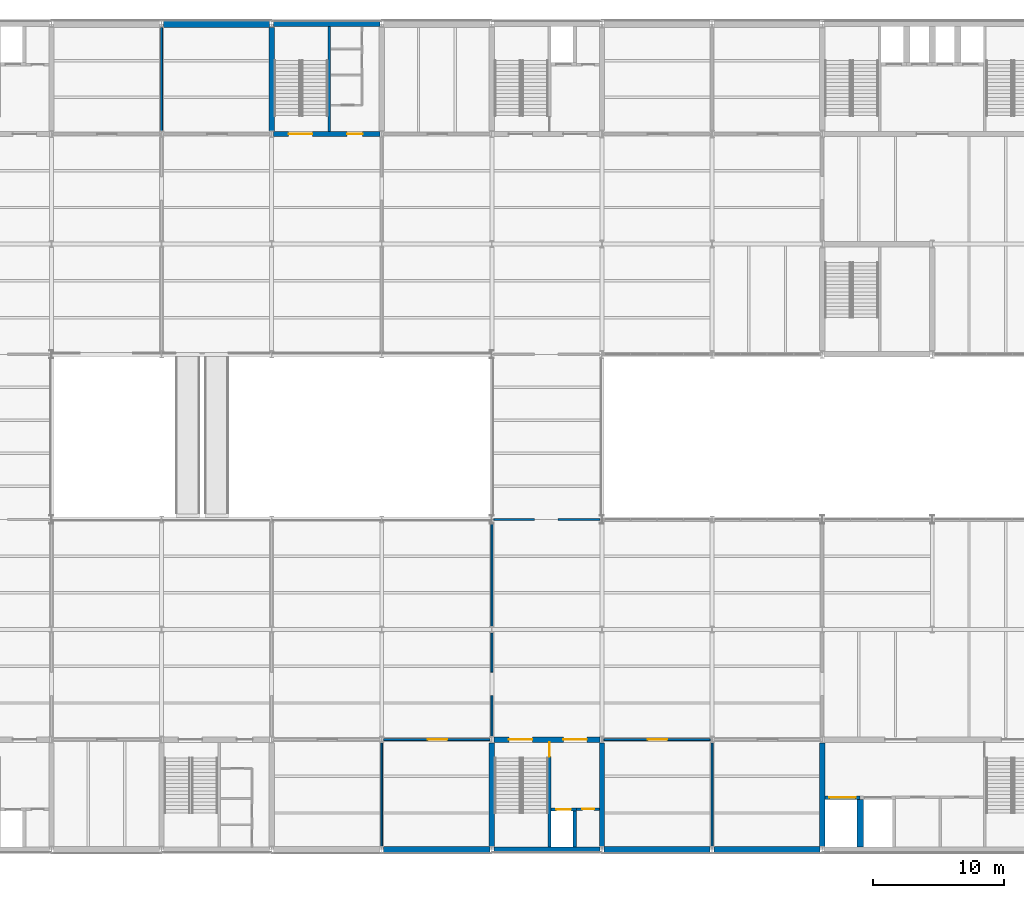
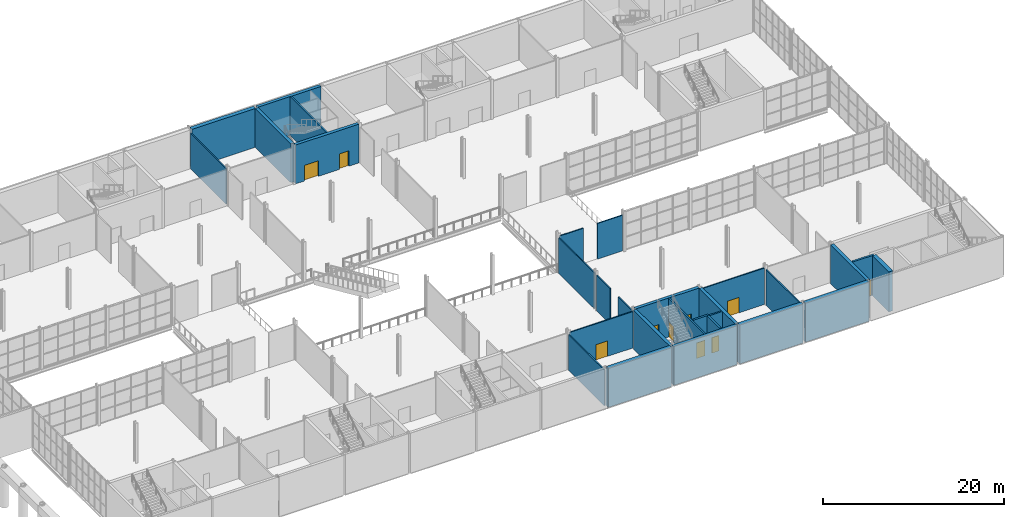
# One storey, part 42 of 64: 29 walls, 10 doors, 10 openings.
"""IFC4 building model written with IfcOpenShell, lengths in metres."""

import ifcopenshell
import ifcopenshell.guid

model = None  # the IFC model being written
_history = None  # IfcOwnerHistory: only IFC2X3 demands one
_inside = {}  # id of a spatial element -> (the spatial element, [elements in it])
_under = {}  # id of a project, library or spatial element -> (it, [spatial elements below it])
_declared = {}  # id of a project -> (the project, [libraries it declares])
_typed = {}  # id of a type object -> (the type object, [elements of that type])
_made_of = {}  # id of a material, layer set ... -> (it, [elements and type objects made of it])


def new_model(schema):
    """Start an empty IFC model of exactly this schema.

    Asked for "IFC4X3", IfcOpenShell would pick the latest addendum, in which some entities
    have other attributes; the version numbers below select the first issue.
    IFC2X3 requires an IfcOwnerHistory on every rooted entity: one is made here for all.
    """
    global model, _history
    if schema == "IFC4X3":
        model = ifcopenshell.file(schema_version=(4, 3, 0, 0))
    else:
        model = ifcopenshell.file(schema=schema)
    _inside.clear()
    _under.clear()
    _declared.clear()
    _typed.clear()
    _made_of.clear()
    _history = None
    if model.schema == "IFC2X3":
        org = make("IfcOrganization", Name="unknown")
        user = make(
            "IfcPersonAndOrganization",
            ThePerson=make("IfcPerson", FamilyName="unknown"),
            TheOrganization=org,
        )
        app = make(
            "IfcApplication",
            ApplicationDeveloper=org,
            Version="unknown",
            ApplicationFullName="unknown",
            ApplicationIdentifier="unknown",
        )
        _history = make(
            "IfcOwnerHistory",
            OwningUser=user,
            OwningApplication=app,
            ChangeAction="ADDED",
            CreationDate=0,
        )
    return model


def make(cls, **values):
    """One entity of the class cls with the attributes given. An attribute that is None is left unset."""
    return model.create_entity(
        cls, **{name: value for name, value in values.items() if value is not None}
    )


def rooted(cls, **values):
    """An entity with a GlobalId (a new one), such as an element, a storey or a relation."""
    return make(cls, GlobalId=ifcopenshell.guid.new(), OwnerHistory=_history, **values)


def si_unit(unit_type, name, prefix=None):
    """IfcSIUnit, for example si_unit("LENGTHUNIT", "METRE", prefix="MILLI")."""
    return make("IfcSIUnit", UnitType=unit_type, Prefix=prefix, Name=name)


def assignment(units):
    """IfcUnitAssignment: the units of a project."""
    return None if units is None else make("IfcUnitAssignment", Units=units)


def point(xyz):
    """IfcCartesianPoint."""
    return None if xyz is None else make("IfcCartesianPoint", Coordinates=xyz)


def direction(xyz):
    """IfcDirection."""
    return None if xyz is None else make("IfcDirection", DirectionRatios=xyz)


def frame(location, z_axis=None, x_axis=None):
    """IfcAxis2Placement3D, a coordinate frame: its origin and axes. An axis left out is left unset."""
    return make(
        "IfcAxis2Placement3D",
        Location=point(location),
        Axis=direction(z_axis),
        RefDirection=direction(x_axis),
    )


def frame_2d(location, x_axis=None):
    """IfcAxis2Placement2D, a coordinate frame in the plane: its origin and x axis."""
    return make(
        "IfcAxis2Placement2D", Location=point(location), RefDirection=direction(x_axis)
    )


def origin():
    """The frame at (0, 0, 0) with its axes left unset."""
    return frame((0.0, 0.0, 0.0))


def place(relative_to, where):
    """IfcLocalPlacement: puts the frame where relative to a parent placement (None: the world)."""
    return make(
        "IfcLocalPlacement", PlacementRelTo=relative_to, RelativePlacement=where
    )


def context(
    kind, dimensions, precision=None, world=None, true_north=None, identifier=None
):
    """IfcGeometricRepresentationContext, for example the 3D "Model" context."""
    return make(
        "IfcGeometricRepresentationContext",
        ContextIdentifier=identifier,
        ContextType=kind,
        CoordinateSpaceDimension=dimensions,
        Precision=precision,
        WorldCoordinateSystem=world,
        TrueNorth=true_north,
    )


def subcontext(parent, identifier, kind, view, scale=None):
    """IfcGeometricRepresentationSubContext, for example "Body" below "Model"."""
    return make(
        "IfcGeometricRepresentationSubContext",
        ContextIdentifier=identifier,
        ContextType=kind,
        ParentContext=parent,
        TargetScale=scale,
        TargetView=view,
    )


def project(units=None, contexts=None):
    """IfcProject with its units and contexts."""
    return rooted(
        "IfcProject",
        Name="project",
        RepresentationContexts=contexts,
        UnitsInContext=assignment(units),
    )


def spatial(cls, under=None, at=None, **own):
    """A site, building, storey or space (cls), placed at a placement, below another one or the project."""
    s = rooted(cls, ObjectPlacement=at, **own)
    if under is not None:
        _under.setdefault(under.id(), (under, []))[1].append(s)
    return s


def profile(cls, at=None, kind="AREA", **sizes):
    """A parametric profile (cls). Its sizes go by their IFC names, for example OverallWidth=200.0."""
    return make(cls, ProfileType=kind, Position=at, **sizes)


def rectangle(**sizes):
    """IfcRectangleProfileDef."""
    return profile("IfcRectangleProfileDef", **sizes)


def extrude(swept, where, along, depth):
    """IfcExtrudedAreaSolid: the profile swept, set in the frame where, extruded along a direction by depth."""
    return make(
        "IfcExtrudedAreaSolid",
        SweptArea=swept,
        Position=where,
        ExtrudedDirection=direction(along),
        Depth=depth,
    )


def shape(context_of_items, identifier, shape_type, items):
    """IfcShapeRepresentation: the items that make up one representation, for example the "Body"."""
    return make(
        "IfcShapeRepresentation",
        ContextOfItems=context_of_items,
        RepresentationIdentifier=identifier,
        RepresentationType=shape_type,
        Items=items,
    )


def material(Name=None, Category=None):
    """IfcMaterial."""
    return make("IfcMaterial", Name=Name, Category=Category)


def layer(
    of_material, thickness, ventilated=None, Name=None, Category=None, Priority=None
):
    """IfcMaterialLayer: one layer of a wall or slab, of a material (None: an air gap)."""
    return make(
        "IfcMaterialLayer",
        Material=of_material,
        LayerThickness=thickness,
        IsVentilated=ventilated,
        Name=Name,
        Category=Category,
        Priority=Priority,
    )


def layer_set(layers, Name=None):
    """IfcMaterialLayerSet."""
    return make("IfcMaterialLayerSet", MaterialLayers=layers, LayerSetName=Name)


def made_of(thing, what):
    """Note that an element or type object is made of a material, layer set ...; save() writes the relation."""
    if what is not None:
        _made_of.setdefault(what.id(), (what, []))[1].append(thing)
    return thing


def type_object(cls, material=None, **own):
    """A type object (cls), such as IfcWallType, which elements share."""
    return made_of(rooted(cls, **own), material)


def element(
    cls,
    number,
    at=None,
    inside=None,
    cuts=None,
    type_object=None,
    material=None,
    context=None,
    identifier="Body",
    shape_type=None,
    held_by="IfcProductDefinitionShape",
    body=None,
    shapes=None,
    **own,
):
    """One element of the class cls, such as IfcWall. Its Tag is "e" and its number.

    at: its placement. inside: the storey or other place that contains it. cuts: it is an
    opening in that element (IfcRelVoidsElement). A single representation is given by context,
    identifier, shape_type and body (its items); several are given by shapes. held_by: the class
    of the entity that holds the representations. save() writes the other relations.
    """
    e = rooted(cls, Tag="e%d" % number, ObjectPlacement=at, **own)
    if body is not None:
        shapes = [shape(context, identifier, shape_type, body)]
    if shapes is not None:
        e.Representation = make(held_by, Representations=shapes)
    if inside is not None:
        _inside.setdefault(inside.id(), (inside, []))[1].append(e)
    if cuts is not None:
        rooted(
            "IfcRelVoidsElement", RelatingBuildingElement=cuts, RelatedOpeningElement=e
        )
    if type_object is not None:
        _typed.setdefault(type_object.id(), (type_object, []))[1].append(e)
    return made_of(e, material)


def fill(opening, filler):
    """IfcRelFillsElement: the door or window that sits in an opening."""
    return rooted(
        "IfcRelFillsElement",
        RelatingOpeningElement=opening,
        RelatedBuildingElement=filler,
    )


def aggregate(whole, parts):
    """IfcRelAggregates: a whole, such as a stair, and the parts it consists of."""
    return rooted("IfcRelAggregates", RelatingObject=whole, RelatedObjects=parts)


def save(model, path):
    """Write the relations noted so far, then the file.

    IfcRelAggregates (storeys below a building ...), IfcRelContainedInSpatialStructure (elements
    in a storey), IfcRelDefinesByType, IfcRelAssociatesMaterial and IfcRelDeclares: one each for
    every whole, place, type object, material and project.
    """
    for whole, parts in _under.values():
        aggregate(whole, parts)
    for where, things in _inside.values():
        rooted(
            "IfcRelContainedInSpatialStructure",
            RelatedElements=things,
            RelatingStructure=where,
        )
    for kind, things in _typed.values():
        rooted("IfcRelDefinesByType", RelatedObjects=things, RelatingType=kind)
    for what, things in _made_of.values():
        rooted("IfcRelAssociatesMaterial", RelatedObjects=things, RelatingMaterial=what)
    for by, libraries in _declared.values():
        rooted("IfcRelDeclares", RelatingContext=by, RelatedDefinitions=libraries)
    model.write(path)


model = new_model("IFC4")

# Units and contexts
model_context = context("Model", 3, precision=1e-05, world=origin(), true_north=direction((0.0, 1.0)))
body_context = subcontext(model_context, "Body", "Model", "MODEL_VIEW")
ifc_project = project(units=[si_unit("LENGTHUNIT", "METRE"), si_unit("AREAUNIT", "SQUARE_METRE"), si_unit("VOLUMEUNIT", "CUBIC_METRE"), si_unit("PLANEANGLEUNIT", "RADIAN"), si_unit("MASSUNIT", "GRAM", prefix="KILO")], contexts=[model_context])

# Site, building, storey
site_placement = place(None, origin())
site = spatial("IfcSite", under=ifc_project, at=site_placement, CompositionType="ELEMENT")
building_placement = place(site_placement, origin())
building = spatial("IfcBuilding", under=site, at=building_placement, Name="Galleria Vessillo Department Store", CompositionType="ELEMENT")
storey_placement = place(building_placement, frame((0.0, 0.0, 6.0)))
storey = spatial("IfcBuildingStorey", under=building, at=storey_placement, Name="L01", CompositionType="ELEMENT", Elevation=6.0)

# Wall
ifc_material_1 = material(Name="Solid clay block masonry", Category="masonry")
ifc_layer_1 = layer(ifc_material_1, 0.5)
ifc_layer_set_1 = layer_set([ifc_layer_1], Name="Solid clay block masonry")
wall_type_1 = type_object("IfcWallType", Name="Lift shaft partition wall 500 mm", PredefinedType="SOLIDWALL", material=ifc_layer_set_1)
wall_1_placement = place(storey_placement, frame((103.699951171875, 0.199951171875, 0.0), z_axis=(0.0, 0.0, 1.0), x_axis=(0.0, 1.0, 0.0)))
element("IfcWall", 1, at=wall_1_placement, inside=storey, type_object=wall_type_1, Name="Lift shaft partition wall GL1 L01", PredefinedType="SOLIDWALL", context=body_context, shape_type="SweptSolid", body=[
    extrude(rectangle(XDim=3.650146484375, YDim=0.5, at=frame_2d((1.8251953125, 0.0))), origin(), (0.0, 0.0, 1.0), 5.39990234375),
])

# Wall, opening, door
ifc_material_2 = material(Name="Solid clay block masonry", Category="masonry")
ifc_layer_2 = layer(ifc_material_2, 0.25)
ifc_layer_set_2 = layer_set([ifc_layer_2], Name="Solid clay block masonry")
wall_type_2 = type_object("IfcWallType", Name="Lift shaft wall 250 mm", PredefinedType="SOLIDWALL", material=ifc_layer_set_2)
wall_2_placement = place(storey_placement, frame((80.10009765625, 3.074951171875, 0.0), z_axis=(0.0, 0.0, 1.0), x_axis=(1.0, 0.0, 0.0)))
wall_2 = element("IfcWall", 2, at=wall_2_placement, inside=storey, type_object=wall_type_2, Name="Lift shaft wall LP5 landing side L01", PredefinedType="SOLIDWALL", context=body_context, shape_type="SweptSolid", body=[
    extrude(rectangle(XDim=1.949951171875, YDim=0.25, at=frame_2d((0.97509765625, 0.0))), origin(), (0.0, 0.0, 1.0), 5.39990234375),
])
opening_1_placement = place(wall_2_placement, frame((0.4248046875, 0.0, 0.0)))
opening_1 = element("IfcOpeningElement", 3, at=opening_1_placement, cuts=wall_2, Name="Opening LD036", PredefinedType="OPENING", context=body_context, shape_type="SweptSolid", body=[
    extrude(rectangle(XDim=1.10009765625, YDim=2.10009765625, at=frame_2d((0.550048828125, 1.050048828125))), frame((0.0, 0.135009765625, 0.0), z_axis=(0.0, -1.0, 0.0), x_axis=(1.0, 0.0, 0.0)), (0.0, 0.0, 1.0), 0.27001953125),
])
ifc_material_3 = material(Name="Stainless steel lift door panel", Category="steel")
door_type_1 = type_object("IfcDoorType", Name="Lift landing door LD110 sliding 1100 x 2100", OperationType="SLIDING_TO_LEFT", PredefinedType="DOOR", material=ifc_material_3)
door_1_placement = place(opening_1_placement, origin())
door_1 = element("IfcDoor", 4, at=door_1_placement, inside=storey, type_object=door_type_1, Name="Lift landing door LP5 L01", OperationType="SLIDING_TO_LEFT", OverallHeight=2.10009765625, OverallWidth=1.10009765625, PredefinedType="DOOR", context=body_context, shape_type="SweptSolid", body=[
    extrude(rectangle(XDim=1.10009765625, YDim=2.10009765625, at=frame_2d((0.550048828125, 1.050048828125))), frame((0.0, 0.02490234375, 0.0), z_axis=(0.0, -1.0, 0.0), x_axis=(1.0, 0.0, 0.0)), (0.0, 0.0, 1.0), 0.050048828125),
])
fill(opening_1, door_1)

# Wall
wall_3_placement = place(storey_placement, frame((81.925048828125, 0.199951171875, 0.0), z_axis=(0.0, 0.0, 1.0), x_axis=(0.0, 1.0, 0.0)))
element("IfcWall", 5, at=wall_3_placement, inside=storey, type_object=wall_type_2, Name="Lift shaft wall LP5 L01", PredefinedType="SOLIDWALL", context=body_context, shape_type="SweptSolid", body=[
    extrude(rectangle(XDim=2.75, YDim=0.25, at=frame_2d((1.375, 0.0))), origin(), (0.0, 0.0, 1.0), 5.39990234375),
])

# Wall, opening, door
wall_4_placement = place(storey_placement, frame((101.0, 3.97509765625, 0.0), z_axis=(0.0, 0.0, 1.0), x_axis=(1.0, 0.0, 0.0)))
wall_4 = element("IfcWall", 6, at=wall_4_placement, inside=storey, type_object=wall_type_2, Name="Lift shaft wall GL1 landing side L01", PredefinedType="SOLIDWALL", context=body_context, shape_type="SweptSolid", body=[
    extrude(rectangle(XDim=2.699951171875, YDim=0.25, at=frame_2d((1.35009765625, 0.0))), origin(), (0.0, 0.0, 1.0), 5.39990234375),
])
opening_2_placement = place(wall_4_placement, frame((0.35009765625, 0.0, 0.0)))
opening_2 = element("IfcOpeningElement", 7, at=opening_2_placement, cuts=wall_4, Name="Opening LD055", PredefinedType="OPENING", context=body_context, shape_type="SweptSolid", body=[
    extrude(rectangle(XDim=2.0, YDim=2.199951171875, at=frame_2d((1.0, 1.10009765625))), frame((0.0, 0.135009765625, 0.0), z_axis=(0.0, -1.0, 0.0), x_axis=(1.0, 0.0, 0.0)), (0.0, 0.0, 1.0), 0.27001953125),
])
ifc_material_4 = material(Name="Stainless steel lift door panel", Category="steel")
door_type_2 = type_object("IfcDoorType", Name="Lift landing door LD200 sliding 2000 x 2200", OperationType="DOUBLE_DOOR_SLIDING", PredefinedType="DOOR", material=ifc_material_4)
door_2_placement = place(opening_2_placement, origin())
door_2 = element("IfcDoor", 8, at=door_2_placement, inside=storey, type_object=door_type_2, Name="Lift landing door GL1 L01", OperationType="DOUBLE_DOOR_SLIDING", OverallHeight=2.199951171875, OverallWidth=2.0, PredefinedType="DOOR", context=body_context, shape_type="SweptSolid", body=[
    extrude(rectangle(XDim=2.0, YDim=2.199951171875, at=frame_2d((1.0, 1.10009765625))), frame((0.0, 0.02490234375, 0.0), z_axis=(0.0, -1.0, 0.0), x_axis=(1.0, 0.0, 0.0)), (0.0, 0.0, 1.0), 0.050048828125),
])
fill(opening_2, door_2)

# Wall, openings, doors
ifc_material_5 = material(Name="Concrete C32/40 reinforced", Category="concrete")
ifc_layer_3 = layer(ifc_material_5, 0.39990234375)
ifc_layer_set_3 = layer_set([ifc_layer_3], Name="Concrete C32/40 reinforced")
wall_type_3 = type_object("IfcWallType", Name="Reinforced concrete core wall 400 mm", PredefinedType="SHEAR", material=ifc_layer_set_3)
wall_5_placement = place(storey_placement, frame((75.75, 8.39990234375, 0.0), z_axis=(0.0, 0.0, 1.0), x_axis=(1.0, 0.0, 0.0)))
wall_5 = element("IfcWall", 9, at=wall_5_placement, inside=storey, type_object=wall_type_3, Name="S-CW-PC-SE-INTERIOR-L01", PredefinedType="SHEAR", context=body_context, shape_type="SweptSolid", body=[
    extrude(rectangle(XDim=8.10009765625, YDim=0.39990234375, at=frame_2d((4.050048828125, 0.0))), origin(), (0.0, 0.0, 1.0), 5.25),
])
opening_3_placement = place(wall_5_placement, frame((1.14990234375, 0.0, 0.0)))
opening_3 = element("IfcOpeningElement", 10, at=opening_3_placement, cuts=wall_5, Name="Opening D5140", PredefinedType="OPENING", context=body_context, shape_type="SweptSolid", body=[
    extrude(rectangle(XDim=1.800048828125, YDim=2.10009765625, at=frame_2d((0.89990234375, 1.050048828125))), frame((0.0, 0.2099609375, 0.0), z_axis=(0.0, -1.0, 0.0), x_axis=(1.0, 0.0, 0.0)), (0.0, 0.0, 1.0), 0.419921875),
])
opening_4_placement = place(wall_5_placement, frame((5.2998046875, 0.0, 0.0)))
opening_4 = element("IfcOpeningElement", 11, at=opening_4_placement, cuts=wall_5, Name="Opening D5141", PredefinedType="OPENING", context=body_context, shape_type="SweptSolid", body=[
    extrude(rectangle(XDim=1.800048828125, YDim=2.10009765625, at=frame_2d((0.89990234375, 1.050048828125))), frame((0.0, 0.2099609375, 0.0), z_axis=(0.0, -1.0, 0.0), x_axis=(1.0, 0.0, 0.0)), (0.0, 0.0, 1.0), 0.419921875),
])
ifc_material_6 = material(Name="Fire-rated steel door leaf", Category="steel")
door_type_3 = type_object("IfcDoorType", Name="Door D180F double leaf 1800 x 2100", OperationType="DOUBLE_DOOR_SINGLE_SWING", PredefinedType="DOOR", material=ifc_material_6)
door_3_placement = place(opening_3_placement, frame((1.800048828125, 0.0, 0.0), z_axis=(0.0, 0.0, 1.0), x_axis=(-1.0, 0.0, 0.0)))
door_3 = element("IfcDoor", 12, at=door_3_placement, inside=storey, type_object=door_type_3, Name="Lobby door PC-SE-ST-FLOOR L01", OperationType="DOUBLE_DOOR_SINGLE_SWING", OverallHeight=2.10009765625, OverallWidth=1.800048828125, PredefinedType="DOOR", context=body_context, shape_type="SweptSolid", body=[
    extrude(rectangle(XDim=1.800048828125, YDim=2.10009765625, at=frame_2d((0.89990234375, 1.050048828125))), frame((0.0, 0.02490234375, 0.0), z_axis=(0.0, -1.0, 0.0), x_axis=(1.0, 0.0, 0.0)), (0.0, 0.0, 1.0), 0.050048828125),
])
fill(opening_3, door_3)
door_4_placement = place(opening_4_placement, frame((1.800048828125, 0.0, 0.0), z_axis=(0.0, 0.0, 1.0), x_axis=(-1.0, 0.0, 0.0)))
door_4 = element("IfcDoor", 13, at=door_4_placement, inside=storey, type_object=door_type_3, Name="Lobby door PC-SE-LOBBY-FLOOR L01", OperationType="DOUBLE_DOOR_SINGLE_SWING", OverallHeight=2.10009765625, OverallWidth=1.800048828125, PredefinedType="DOOR", context=body_context, shape_type="SweptSolid", body=[
    extrude(rectangle(XDim=1.800048828125, YDim=2.10009765625, at=frame_2d((0.89990234375, 1.050048828125))), frame((0.0, 0.02490234375, 0.0), z_axis=(0.0, -1.0, 0.0), x_axis=(1.0, 0.0, 0.0)), (0.0, 0.0, 1.0), 0.050048828125),
])
fill(opening_4, door_4)

# Walls
for number, where, z_axis, x_axis, name in (
    (14, (75.60009765625, 0.25, 0.0), (0.0, 0.0, 1.0), (0.0, 1.0, 0.0), "S-CW-PC-SE-WEST-L01"),
    (15, (84.0, 0.25, 0.0), (0.0, 0.0, 1.0), (0.0, 1.0, 0.0), "S-CW-PC-SE-EAST-L01"),
):
    element("IfcWall", number, at=place(storey_placement, frame(where, z_axis=z_axis, x_axis=x_axis)), inside=storey, type_object=wall_type_3, Name=name, PredefinedType="SHEAR", context=body_context, shape_type="SweptSolid", body=[
        extrude(rectangle(XDim=7.89990234375, YDim=0.39990234375, at=frame_2d((3.949951171875, 0.0))), origin(), (0.0, 0.0, 1.0), 5.25),
    ])

# Wall, openings, doors
wall_6_placement = place(storey_placement, frame((58.949951171875, 54.60009765625, 0.0), z_axis=(0.0, 0.0, 1.0), x_axis=(1.0, 0.0, 0.0)))
wall_6 = element("IfcWall", 16, at=wall_6_placement, inside=storey, type_object=wall_type_3, Name="S-CW-PC-NC-INTERIOR-L01", PredefinedType="SHEAR", context=body_context, shape_type="SweptSolid", body=[
    extrude(rectangle(XDim=8.10009765625, YDim=0.39990234375, at=frame_2d((4.050048828125, 0.0))), origin(), (0.0, 0.0, 1.0), 5.25),
])
opening_5_placement = place(wall_6_placement, frame((1.14990234375, 0.0, 0.0)))
opening_5 = element("IfcOpeningElement", 17, at=opening_5_placement, cuts=wall_6, Name="Opening D5209", PredefinedType="OPENING", context=body_context, shape_type="SweptSolid", body=[
    extrude(rectangle(XDim=1.800048828125, YDim=2.10009765625, at=frame_2d((0.89990234375, 1.050048828125))), frame((0.0, 0.2099609375, 0.0), z_axis=(0.0, -1.0, 0.0), x_axis=(1.0, 0.0, 0.0)), (0.0, 0.0, 1.0), 0.419921875),
])
opening_6_placement = place(wall_6_placement, frame((5.599853515625, 0.0, 0.0)))
opening_6 = element("IfcOpeningElement", 18, at=opening_6_placement, cuts=wall_6, Name="Opening D5210", PredefinedType="OPENING", context=body_context, shape_type="SweptSolid", body=[
    extrude(rectangle(XDim=1.199951171875, YDim=2.10009765625, at=frame_2d((0.60009765625, 1.050048828125))), frame((0.0, 0.2099609375, 0.0), z_axis=(0.0, -1.0, 0.0), x_axis=(1.0, 0.0, 0.0)), (0.0, 0.0, 1.0), 0.419921875),
])
ifc_material_7 = material(Name="Fire-rated steel door leaf", Category="steel")
door_type_4 = type_object("IfcDoorType", Name="Door D120F fire door 1200 x 2100", OperationType="SINGLE_SWING_LEFT", PredefinedType="DOOR", material=ifc_material_7)
door_5_placement = place(opening_6_placement, origin())
door_5 = element("IfcDoor", 19, at=door_5_placement, inside=storey, type_object=door_type_4, Name="Lobby door PC-NC-WC-FLOOR L01", OperationType="SINGLE_SWING_LEFT", OverallHeight=2.10009765625, OverallWidth=1.199951171875, PredefinedType="DOOR", context=body_context, shape_type="SweptSolid", body=[
    extrude(rectangle(XDim=1.199951171875, YDim=2.10009765625, at=frame_2d((0.60009765625, 1.050048828125))), frame((0.0, 0.02490234375, 0.0), z_axis=(0.0, -1.0, 0.0), x_axis=(1.0, 0.0, 0.0)), (0.0, 0.0, 1.0), 0.050048828125),
])
fill(opening_6, door_5)
door_6_placement = place(opening_5_placement, origin())
door_6 = element("IfcDoor", 20, at=door_6_placement, inside=storey, type_object=door_type_3, Name="Lobby door PC-NC-ST-FLOOR L01", OperationType="DOUBLE_DOOR_SINGLE_SWING", OverallHeight=2.10009765625, OverallWidth=1.800048828125, PredefinedType="DOOR", context=body_context, shape_type="SweptSolid", body=[
    extrude(rectangle(XDim=1.800048828125, YDim=2.10009765625, at=frame_2d((0.89990234375, 1.050048828125))), frame((0.0, 0.02490234375, 0.0), z_axis=(0.0, -1.0, 0.0), x_axis=(1.0, 0.0, 0.0)), (0.0, 0.0, 1.0), 0.050048828125),
])
fill(opening_5, door_6)

# Walls
for number, where, z_axis, x_axis, name in (
    (21, (58.800048828125, 54.85009765625, 0.0), (0.0, 0.0, 1.0), (0.0, 1.0, 0.0), "S-CW-PC-NC-WEST-L01"),
    (22, (100.800048828125, 0.25, 0.0), (0.0, 0.0, 1.0), (0.0, 1.0, 0.0), "S-CW-GC-WEST-L01"),
):
    element("IfcWall", number, at=place(storey_placement, frame(where, z_axis=z_axis, x_axis=x_axis)), inside=storey, type_object=wall_type_3, Name=name, PredefinedType="SHEAR", context=body_context, shape_type="SweptSolid", body=[
        extrude(rectangle(XDim=7.89990234375, YDim=0.39990234375, at=frame_2d((3.949951171875, 0.0))), origin(), (0.0, 0.0, 1.0), 5.25),
    ])
ifc_material_8 = material(Name="Concrete C32/40 reinforced", Category="concrete")
ifc_layer_4 = layer(ifc_material_8, 0.39990234375)
ifc_layer_set_4 = layer_set([ifc_layer_4], Name="Concrete C32/40 reinforced")
wall_type_4 = type_object("IfcWallType", Name="Reinforced concrete core wall 400 mm, external", PredefinedType="SHEAR", material=ifc_layer_set_4)
for number, where, z_axis, x_axis, name in (
    (23, (75.75, 0.0, 0.0), (0.0, 0.0, 1.0), (1.0, 0.0, 0.0), "S-CW-PC-SE-PARTY-L01"),
    (24, (58.949951171875, 63.0, 0.0), (0.0, 0.0, 1.0), (1.0, 0.0, 0.0), "S-CW-PC-NC-PARTY-L01"),
):
    element("IfcWall", number, at=place(storey_placement, frame(where, z_axis=z_axis, x_axis=x_axis)), inside=storey, type_object=wall_type_4, Name=name, PredefinedType="SHEAR", context=body_context, shape_type="SweptSolid", body=[
        extrude(rectangle(XDim=8.10009765625, YDim=0.39990234375, at=frame_2d((4.050048828125, 0.0))), origin(), (0.0, 0.0, 1.0), 5.25),
    ])
ifc_material_9 = material(Name="Concrete C32/40 reinforced", Category="concrete")
ifc_layer_5 = layer(ifc_material_9, 0.5)
ifc_layer_set_5 = layer_set([ifc_layer_5], Name="Concrete C32/40 reinforced")
wall_type_5 = type_object("IfcWallType", Name="Reinforced concrete party wall 500 mm", PredefinedType="SHEAR", material=ifc_layer_set_5)
wall_7_placement = place(storey_placement, frame((67.349853515625, 0.0, 0.0), z_axis=(0.0, 0.0, 1.0), x_axis=(1.0, 0.0, 0.0)))
element("IfcWall", 25, at=wall_7_placement, inside=storey, type_object=wall_type_5, Name="S-PS-L01-06", PredefinedType="SHEAR", context=body_context, shape_type="SweptSolid", body=[
    extrude(rectangle(XDim=8.100341796875, YDim=0.5, at=frame_2d((4.05029296875, 0.0))), origin(), (0.0, 0.0, 1.0), 5.25),
])
wall_8_placement = place(storey_placement, frame((84.14990234375, 0.0, 0.0), z_axis=(0.0, 0.0, 1.0), x_axis=(1.0, 0.0, 0.0)))
element("IfcWall", 26, at=wall_8_placement, inside=storey, type_object=wall_type_5, Name="S-PS-L01-07", PredefinedType="SHEAR", context=body_context, shape_type="SweptSolid", body=[
    extrude(rectangle(XDim=8.10009765625, YDim=0.5, at=frame_2d((4.050048828125, 0.0))), origin(), (0.0, 0.0, 1.0), 5.25),
])
for number, where, z_axis, x_axis, name in (
    (27, (92.5498046875, 0.0, 0.0), (0.0, 0.0, 1.0), (1.0, 0.0, 0.0), "S-PS-L01-08"),
    (28, (50.5498046875, 63.0, 0.0), (0.0, 0.0, 1.0), (1.0, 0.0, 0.0), "S-PN-L01-05"),
):
    element("IfcWall", number, at=place(storey_placement, frame(where, z_axis=z_axis, x_axis=x_axis)), inside=storey, type_object=wall_type_5, Name=name, PredefinedType="SHEAR", context=body_context, shape_type="SweptSolid", body=[
        extrude(rectangle(XDim=8.100341796875, YDim=0.5, at=frame_2d((4.05029296875, 0.0))), origin(), (0.0, 0.0, 1.0), 5.25),
    ])

# Wall, opening, door
ifc_material_10 = material(Name="Concrete C32/40 reinforced", Category="concrete")
ifc_layer_6 = layer(ifc_material_10, 0.199951171875)
ifc_layer_set_6 = layer_set([ifc_layer_6], Name="Concrete C32/40 reinforced")
wall_type_6 = type_object("IfcWallType", Name="Reinforced concrete stair enclosure wall 200 mm", PredefinedType="SHEAR", material=ifc_layer_set_6)
wall_9_placement = place(storey_placement, frame((80.0, 0.199951171875, 0.0), z_axis=(0.0, 0.0, 1.0), x_axis=(0.0, 1.0, 0.0)))
wall_9 = element("IfcWall", 29, at=wall_9_placement, inside=storey, type_object=wall_type_6, Name="Stair enclosure wall PC-SE L01", PredefinedType="SHEAR", context=body_context, shape_type="SweptSolid", body=[
    extrude(rectangle(XDim=8.0, YDim=0.199951171875, at=frame_2d((4.0, 0.0))), origin(), (0.0, 0.0, 1.0), 5.25),
])
opening_7_placement = place(wall_9_placement, frame((6.89990234375, 0.0, 0.0)))
opening_7 = element("IfcOpeningElement", 30, at=opening_7_placement, cuts=wall_9, Name="Opening D5138", PredefinedType="OPENING", context=body_context, shape_type="SweptSolid", body=[
    extrude(rectangle(XDim=1.11009765625, YDim=2.10009765625, at=frame_2d((0.554931640625, 1.050048828125))), frame((0.0, 0.10986328125, 0.0), z_axis=(0.0, -1.0, 0.0), x_axis=(1.0, 0.0, 0.0)), (0.0, 0.0, 1.0), 0.219970703125),
])
ifc_material_11 = material(Name="Fire-rated steel door leaf", Category="steel")
door_type_5 = type_object("IfcDoorType", Name="Door D110F stair door 1100 x 2100", OperationType="SINGLE_SWING_LEFT", PredefinedType="DOOR", material=ifc_material_11)
door_7_placement = place(opening_7_placement, origin())
door_7 = element("IfcDoor", 31, at=door_7_placement, inside=storey, type_object=door_type_5, Name="Stair door PC-SE-ST-LOBBY L01", OperationType="SINGLE_SWING_RIGHT", OverallHeight=2.10009765625, OverallWidth=1.10009765625, PredefinedType="DOOR", context=body_context, shape_type="SweptSolid", body=[
    extrude(rectangle(XDim=1.10009765625, YDim=2.10009765625, at=frame_2d((0.550048828125, 1.050048828125))), frame((0.0, 0.02490234375, 0.0), z_axis=(0.0, -1.0, 0.0), x_axis=(1.0, 0.0, 0.0)), (0.0, 0.0, 1.0), 0.050048828125),
])
fill(opening_7, door_7)

# Wall
wall_10_placement = place(storey_placement, frame((63.199951171875, 62.800048828125, 0.0), z_axis=(0.0, 0.0, 1.0), x_axis=(0.0, -1.0, 0.0)))
element("IfcWall", 32, at=wall_10_placement, inside=storey, type_object=wall_type_6, Name="Stair enclosure wall PC-NC L01", PredefinedType="SHEAR", context=body_context, shape_type="SweptSolid", body=[
    extrude(rectangle(XDim=8.0, YDim=0.199951171875, at=frame_2d((4.0, 0.0))), origin(), (0.0, 0.0, 1.0), 5.25),
])

# Wall, opening, door
ifc_material_12 = material(Name="Hollow clay block masonry", Category="masonry")
ifc_layer_7 = layer(ifc_material_12, 0.199951171875)
ifc_layer_set_7 = layer_set([ifc_layer_7], Name="Hollow clay block masonry")
wall_type_7 = type_object("IfcWallType", Name="Riser and service room wall 200 mm", PredefinedType="PARTITIONING", material=ifc_layer_set_7)
wall_11_placement = place(storey_placement, frame((82.050048828125, 3.099853515625, 0.0), z_axis=(0.0, 0.0, 1.0), x_axis=(1.0, 0.0, 0.0)))
wall_11 = element("IfcWall", 33, at=wall_11_placement, inside=storey, type_object=wall_type_7, Name="Riser wall PC-SE-RISER L01", PredefinedType="PARTITIONING", context=body_context, shape_type="SweptSolid", body=[
    extrude(rectangle(XDim=1.75, YDim=0.199951171875, at=frame_2d((0.875, 0.0))), origin(), (0.0, 0.0, 1.0), 5.25),
])
opening_8_placement = place(wall_11_placement, frame((0.449951171875, 0.0, 0.0)))
opening_8 = element("IfcOpeningElement", 34, at=opening_8_placement, cuts=wall_11, Name="Opening D5139", PredefinedType="OPENING", context=body_context, shape_type="SweptSolid", body=[
    extrude(rectangle(XDim=0.89990234375, YDim=2.10009765625, at=frame_2d((0.449951171875, 1.050048828125))), frame((0.0, 0.10986328125, 0.0), z_axis=(0.0, -1.0, 0.0), x_axis=(1.0, 0.0, 0.0)), (0.0, 0.0, 1.0), 0.219970703125),
])
ifc_material_13 = material(Name="Fire-rated steel door leaf", Category="steel")
door_type_6 = type_object("IfcDoorType", Name="Door DR90 riser access 900 x 2100", OperationType="SINGLE_SWING_LEFT", PredefinedType="DOOR", material=ifc_material_13)
door_8_placement = place(opening_8_placement, frame((0.89990234375, 0.0, 0.0), z_axis=(0.0, 0.0, 1.0), x_axis=(-1.0, 0.0, 0.0)))
door_8 = element("IfcDoor", 35, at=door_8_placement, inside=storey, type_object=door_type_6, Name="Riser door PC-SE-RISER-D L01", OperationType="SINGLE_SWING_LEFT", OverallHeight=2.10009765625, OverallWidth=0.89990234375, PredefinedType="DOOR", context=body_context, shape_type="SweptSolid", body=[
    extrude(rectangle(XDim=0.89990234375, YDim=2.10009765625, at=frame_2d((0.449951171875, 1.050048828125))), frame((0.0, 0.02490234375, 0.0), z_axis=(0.0, -1.0, 0.0), x_axis=(1.0, 0.0, 0.0)), (0.0, 0.0, 1.0), 0.050048828125),
])
fill(opening_8, door_8)

# Walls
ifc_material_14 = material(Name="Gypsum board partition")
ifc_layer_8 = layer(ifc_material_14, 0.139892578125)
ifc_layer_set_8 = layer_set([ifc_layer_8], Name="Gypsum board partition")
wall_type_8 = type_object("IfcWallType", Name="Sales dividing wall 140 mm", PredefinedType="PARTITIONING", material=ifc_layer_set_8)
wall_12_placement = place(storey_placement, frame((75.60009765625, 8.64990234375, 0.0), z_axis=(0.0, 0.0, 1.0), x_axis=(0.0, 1.0, 0.0)))
element("IfcWall", 36, at=wall_12_placement, inside=storey, type_object=wall_type_8, Name="Partition wall PT3 on L01 no. 044", PredefinedType="PARTITIONING", context=body_context, shape_type="SweptSolid", body=[
    extrude(rectangle(XDim=3.10009765625, YDim=0.139892578125, at=frame_2d((1.550048828125, 0.0))), origin(), (0.0, 0.0, 1.0), 4.81005859375),
])
wall_13_placement = place(storey_placement, frame((75.60009765625, 13.5498046875, 0.0), z_axis=(0.0, 0.0, 1.0), x_axis=(0.0, 1.0, 0.0)))
element("IfcWall", 37, at=wall_13_placement, inside=storey, type_object=wall_type_8, Name="Partition wall PT3 on L01 no. 045", PredefinedType="PARTITIONING", context=body_context, shape_type="SweptSolid", body=[
    extrude(rectangle(XDim=3.000244140625, YDim=0.139892578125, at=frame_2d((1.5, 0.0))), origin(), (0.0, 0.0, 1.0), 4.81005859375),
])
wall_14_placement = place(storey_placement, frame((75.60009765625, 17.050048828125, 0.0), z_axis=(0.0, 0.0, 1.0), x_axis=(0.0, 1.0, 0.0)))
element("IfcWall", 38, at=wall_14_placement, inside=storey, type_object=wall_type_8, Name="Partition wall PT3 on L01 no. 046", PredefinedType="PARTITIONING", context=body_context, shape_type="SweptSolid", body=[
    extrude(rectangle(XDim=7.83984375, YDim=0.139892578125, at=frame_2d((3.919921875, 0.0))), origin(), (0.0, 0.0, 1.0), 4.81005859375),
])
wall_15_placement = place(storey_placement, frame((75.752685546875, 25.199951171875, 0.0), z_axis=(0.0, 0.0, 1.0), x_axis=(1.0, 0.0, 0.0)))
element("IfcWall", 39, at=wall_15_placement, inside=storey, type_object=wall_type_8, Name="Partition wall PT3 on L01 no. 050", PredefinedType="PARTITIONING", context=body_context, shape_type="SweptSolid", body=[
    extrude(rectangle(XDim=3.099853515625, YDim=0.139892578125, at=frame_2d((1.5498046875, 0.0))), origin(), (0.0, 0.0, 1.0), 4.81005859375),
])
wall_16_placement = place(storey_placement, frame((80.652587890625, 25.199951171875, 0.0), z_axis=(0.0, 0.0, 1.0), x_axis=(1.0, 0.0, 0.0)))
element("IfcWall", 40, at=wall_16_placement, inside=storey, type_object=wall_type_8, Name="Partition wall PT3 on L01 no. 051", PredefinedType="PARTITIONING", context=body_context, shape_type="SweptSolid", body=[
    extrude(rectangle(XDim=3.19482421875, YDim=0.139892578125, at=frame_2d((1.597412109375, 0.0))), origin(), (0.0, 0.0, 1.0), 4.81005859375),
])
ifc_material_15 = material(Name="Concrete blockwork", Category="masonry")
ifc_layer_9 = layer(ifc_material_15, 0.14990234375)
ifc_layer_set_9 = layer_set([ifc_layer_9], Name="Concrete blockwork")
wall_type_9 = type_object("IfcWallType", Name="Stockroom blockwork wall 150 mm", PredefinedType="SOLIDWALL", material=ifc_layer_set_9)
wall_17_placement = place(storey_placement, frame((67.199951171875, 0.25, 0.0), z_axis=(0.0, 0.0, 1.0), x_axis=(0.0, 1.0, 0.0)))
element("IfcWall", 41, at=wall_17_placement, inside=storey, type_object=wall_type_9, Name="Partition wall PT4 on L01 no. 017", PredefinedType="SOLIDWALL", context=body_context, shape_type="SweptSolid", body=[
    extrude(rectangle(XDim=7.89990234375, YDim=0.14990234375, at=frame_2d((3.949951171875, 0.0))), origin(), (0.0, 0.0, 1.0), 4.81005859375),
])

# Wall, opening, door
wall_18_placement = place(storey_placement, frame((67.349853515625, 8.39990234375, 0.0), z_axis=(0.0, 0.0, 1.0), x_axis=(1.0, 0.0, 0.0)))
wall_18 = element("IfcWall", 42, at=wall_18_placement, inside=storey, type_object=wall_type_9, Name="Partition wall PT4 on L01 no. 019", PredefinedType="SOLIDWALL", context=body_context, shape_type="SweptSolid", body=[
    extrude(rectangle(XDim=8.100341796875, YDim=0.14990234375, at=frame_2d((4.05029296875, 0.0))), origin(), (0.0, 0.0, 1.0), 4.919921875),
])
opening_9_placement = place(wall_18_placement, frame((3.35009765625, 0.0, 0.0)))
opening_9 = element("IfcOpeningElement", 43, at=opening_9_placement, cuts=wall_18, Name="Opening D2311", PredefinedType="OPENING", context=body_context, shape_type="SweptSolid", body=[
    extrude(rectangle(XDim=1.5, YDim=2.10009765625, at=frame_2d((0.75, 1.050048828125))), frame((0.0, 0.0849609375, 0.0), z_axis=(0.0, -1.0, 0.0), x_axis=(1.0, 0.0, 0.0)), (0.0, 0.0, 1.0), 0.169921875),
])
ifc_material_16 = material(Name="Steel fire door leaf", Category="steel")
door_type_7 = type_object("IfcDoorType", Name="Stockroom fire door 1500 double leaf", OperationType="DOUBLE_DOOR_SINGLE_SWING", PredefinedType="DOOR", material=ifc_material_16)
door_9_placement = place(opening_9_placement, frame((1.5, 0.0, 0.0), z_axis=(0.0, 0.0, 1.0), x_axis=(-1.0, 0.0, 0.0)))
door_9 = element("IfcDoor", 44, at=door_9_placement, inside=storey, type_object=door_type_7, Name="Door D2311", OperationType="DOUBLE_DOOR_SINGLE_SWING", OverallHeight=2.10009765625, OverallWidth=1.5, PredefinedType="DOOR", context=body_context, shape_type="SweptSolid", body=[
    extrude(rectangle(XDim=1.5, YDim=2.10009765625, at=frame_2d((0.75, 1.050048828125))), frame((0.0, 0.02490234375, 0.0), z_axis=(0.0, -1.0, 0.0), x_axis=(1.0, 0.0, 0.0)), (0.0, 0.0, 1.0), 0.050048828125),
])
fill(opening_9, door_9)

# Wall
wall_19_placement = place(storey_placement, frame((92.39990234375, 0.25, 0.0), z_axis=(0.0, 0.0, 1.0), x_axis=(0.0, 1.0, 0.0)))
element("IfcWall", 45, at=wall_19_placement, inside=storey, type_object=wall_type_9, Name="Partition wall PT4 on L01 no. 020", PredefinedType="SOLIDWALL", context=body_context, shape_type="SweptSolid", body=[
    extrude(rectangle(XDim=7.89990234375, YDim=0.14990234375, at=frame_2d((3.949951171875, 0.0))), origin(), (0.0, 0.0, 1.0), 4.81005859375),
])

# Wall, opening, door
wall_20_placement = place(storey_placement, frame((84.14990234375, 8.39990234375, 0.0), z_axis=(0.0, 0.0, 1.0), x_axis=(1.0, 0.0, 0.0)))
wall_20 = element("IfcWall", 46, at=wall_20_placement, inside=storey, type_object=wall_type_9, Name="Partition wall PT4 on L01 no. 021", PredefinedType="SOLIDWALL", context=body_context, shape_type="SweptSolid", body=[
    extrude(rectangle(XDim=8.10009765625, YDim=0.14990234375, at=frame_2d((4.050048828125, 0.0))), origin(), (0.0, 0.0, 1.0), 4.919921875),
])
opening_10_placement = place(wall_20_placement, frame((3.35009765625, 0.0, 0.0)))
opening_10 = element("IfcOpeningElement", 47, at=opening_10_placement, cuts=wall_20, Name="Opening D2312", PredefinedType="OPENING", context=body_context, shape_type="SweptSolid", body=[
    extrude(rectangle(XDim=1.5, YDim=2.10009765625, at=frame_2d((0.75, 1.050048828125))), frame((0.0, 0.0849609375, 0.0), z_axis=(0.0, -1.0, 0.0), x_axis=(1.0, 0.0, 0.0)), (0.0, 0.0, 1.0), 0.169921875),
])
door_10_placement = place(opening_10_placement, frame((1.5, 0.0, 0.0), z_axis=(0.0, 0.0, 1.0), x_axis=(-1.0, 0.0, 0.0)))
door_10 = element("IfcDoor", 48, at=door_10_placement, inside=storey, type_object=door_type_7, Name="Door D2312", OperationType="DOUBLE_DOOR_SINGLE_SWING", OverallHeight=2.10009765625, OverallWidth=1.5, PredefinedType="DOOR", context=body_context, shape_type="SweptSolid", body=[
    extrude(rectangle(XDim=1.5, YDim=2.10009765625, at=frame_2d((0.75, 1.050048828125))), frame((0.0, 0.02490234375, 0.0), z_axis=(0.0, -1.0, 0.0), x_axis=(1.0, 0.0, 0.0)), (0.0, 0.0, 1.0), 0.050048828125),
])
fill(opening_10, door_10)

# Wall
wall_21_placement = place(storey_placement, frame((50.39990234375, 54.85009765625, 0.0), z_axis=(0.0, 0.0, 1.0), x_axis=(0.0, 1.0, 0.0)))
element("IfcWall", 49, at=wall_21_placement, inside=storey, type_object=wall_type_9, Name="Partition wall PT4 on L01 no. 026", PredefinedType="SOLIDWALL", context=body_context, shape_type="SweptSolid", body=[
    extrude(rectangle(XDim=7.89990234375, YDim=0.14990234375, at=frame_2d((3.949951171875, 0.0))), origin(), (0.0, 0.0, 1.0), 4.81005859375),
])

save(model, "model.ifc")
